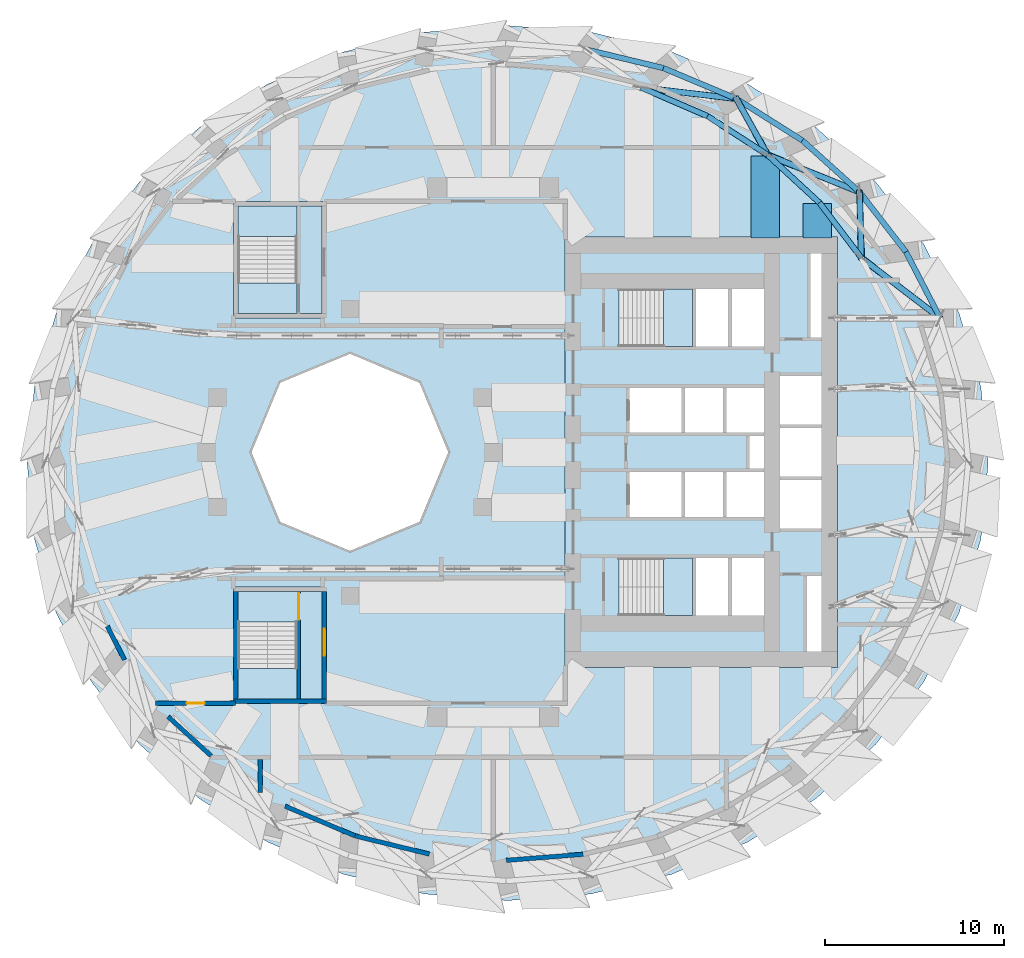
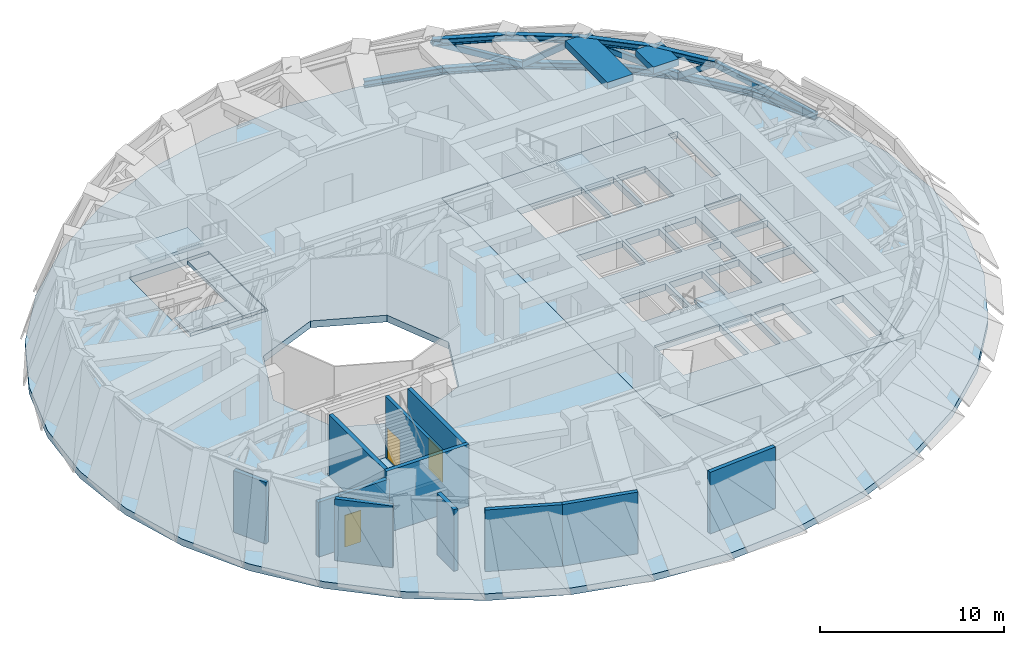
# One storey, part 6 of 14: 15 members, 11 walls, 10 slabs, 3 doors, 2 beams, 3 openings, 4 elements without a shape of their own.
"""IFC4 building model written with IfcOpenShell, lengths in metres."""

import ifcopenshell
import ifcopenshell.guid

model = None  # the IFC model being written
_history = None  # IfcOwnerHistory: only IFC2X3 demands one
_inside = {}  # id of a spatial element -> (the spatial element, [elements in it])
_under = {}  # id of a project, library or spatial element -> (it, [spatial elements below it])
_declared = {}  # id of a project -> (the project, [libraries it declares])
_typed = {}  # id of a type object -> (the type object, [elements of that type])
_made_of = {}  # id of a material, layer set ... -> (it, [elements and type objects made of it])


def new_model(schema):
    """Start an empty IFC model of exactly this schema.

    Asked for "IFC4X3", IfcOpenShell would pick the latest addendum, in which some entities
    have other attributes; the version numbers below select the first issue.
    IFC2X3 requires an IfcOwnerHistory on every rooted entity: one is made here for all.
    """
    global model, _history
    if schema == "IFC4X3":
        model = ifcopenshell.file(schema_version=(4, 3, 0, 0))
    else:
        model = ifcopenshell.file(schema=schema)
    _inside.clear()
    _under.clear()
    _declared.clear()
    _typed.clear()
    _made_of.clear()
    _history = None
    if model.schema == "IFC2X3":
        org = make("IfcOrganization", Name="unknown")
        user = make(
            "IfcPersonAndOrganization",
            ThePerson=make("IfcPerson", FamilyName="unknown"),
            TheOrganization=org,
        )
        app = make(
            "IfcApplication",
            ApplicationDeveloper=org,
            Version="unknown",
            ApplicationFullName="unknown",
            ApplicationIdentifier="unknown",
        )
        _history = make(
            "IfcOwnerHistory",
            OwningUser=user,
            OwningApplication=app,
            ChangeAction="ADDED",
            CreationDate=0,
        )
    return model


def make(cls, **values):
    """One entity of the class cls with the attributes given. An attribute that is None is left unset."""
    return model.create_entity(
        cls, **{name: value for name, value in values.items() if value is not None}
    )


def rooted(cls, **values):
    """An entity with a GlobalId (a new one), such as an element, a storey or a relation."""
    return make(cls, GlobalId=ifcopenshell.guid.new(), OwnerHistory=_history, **values)


def si_unit(unit_type, name, prefix=None):
    """IfcSIUnit, for example si_unit("LENGTHUNIT", "METRE", prefix="MILLI")."""
    return make("IfcSIUnit", UnitType=unit_type, Prefix=prefix, Name=name)


def assignment(units):
    """IfcUnitAssignment: the units of a project."""
    return None if units is None else make("IfcUnitAssignment", Units=units)


def point(xyz):
    """IfcCartesianPoint."""
    return None if xyz is None else make("IfcCartesianPoint", Coordinates=xyz)


def direction(xyz):
    """IfcDirection."""
    return None if xyz is None else make("IfcDirection", DirectionRatios=xyz)


def frame(location, z_axis=None, x_axis=None):
    """IfcAxis2Placement3D, a coordinate frame: its origin and axes. An axis left out is left unset."""
    return make(
        "IfcAxis2Placement3D",
        Location=point(location),
        Axis=direction(z_axis),
        RefDirection=direction(x_axis),
    )


def frame_2d(location, x_axis=None):
    """IfcAxis2Placement2D, a coordinate frame in the plane: its origin and x axis."""
    return make(
        "IfcAxis2Placement2D", Location=point(location), RefDirection=direction(x_axis)
    )


def origin():
    """The frame at (0, 0, 0) with its axes left unset."""
    return frame((0.0, 0.0, 0.0))


def origin_2d():
    """The frame at (0, 0) in the plane with its x axis left unset."""
    return frame_2d((0.0, 0.0))


def place(relative_to, where):
    """IfcLocalPlacement: puts the frame where relative to a parent placement (None: the world)."""
    return make(
        "IfcLocalPlacement", PlacementRelTo=relative_to, RelativePlacement=where
    )


def context(
    kind, dimensions, precision=None, world=None, true_north=None, identifier=None
):
    """IfcGeometricRepresentationContext, for example the 3D "Model" context."""
    return make(
        "IfcGeometricRepresentationContext",
        ContextIdentifier=identifier,
        ContextType=kind,
        CoordinateSpaceDimension=dimensions,
        Precision=precision,
        WorldCoordinateSystem=world,
        TrueNorth=true_north,
    )


def subcontext(parent, identifier, kind, view, scale=None):
    """IfcGeometricRepresentationSubContext, for example "Body" below "Model"."""
    return make(
        "IfcGeometricRepresentationSubContext",
        ContextIdentifier=identifier,
        ContextType=kind,
        ParentContext=parent,
        TargetScale=scale,
        TargetView=view,
    )


def project(units=None, contexts=None):
    """IfcProject with its units and contexts."""
    return rooted(
        "IfcProject",
        Name="project",
        RepresentationContexts=contexts,
        UnitsInContext=assignment(units),
    )


def spatial(cls, under=None, at=None, **own):
    """A site, building, storey or space (cls), placed at a placement, below another one or the project."""
    s = rooted(cls, ObjectPlacement=at, **own)
    if under is not None:
        _under.setdefault(under.id(), (under, []))[1].append(s)
    return s


def polyline(points):
    """IfcPolyline through the points."""
    return make("IfcPolyline", Points=[point(p) for p in points])


def profile(cls, at=None, kind="AREA", **sizes):
    """A parametric profile (cls). Its sizes go by their IFC names, for example OverallWidth=200.0."""
    return make(cls, ProfileType=kind, Position=at, **sizes)


def rectangle(**sizes):
    """IfcRectangleProfileDef."""
    return profile("IfcRectangleProfileDef", **sizes)


def hollow_rectangle(**sizes):
    """IfcRectangleHollowProfileDef."""
    return profile("IfcRectangleHollowProfileDef", **sizes)


def i_section(**sizes):
    """IfcIShapeProfileDef."""
    return profile("IfcIShapeProfileDef", **sizes)


def outline(outer, holes=None, kind="AREA"):
    """IfcArbitraryClosedProfileDef: a profile drawn as a closed curve; with holes, ...WithVoids."""
    if holes is None:
        return make("IfcArbitraryClosedProfileDef", ProfileType=kind, OuterCurve=outer)
    return make(
        "IfcArbitraryProfileDefWithVoids",
        ProfileType=kind,
        OuterCurve=outer,
        InnerCurves=holes,
    )


def extrude(swept, where, along, depth):
    """IfcExtrudedAreaSolid: the profile swept, set in the frame where, extruded along a direction by depth."""
    return make(
        "IfcExtrudedAreaSolid",
        SweptArea=swept,
        Position=where,
        ExtrudedDirection=direction(along),
        Depth=depth,
    )


def shape(context_of_items, identifier, shape_type, items):
    """IfcShapeRepresentation: the items that make up one representation, for example the "Body"."""
    return make(
        "IfcShapeRepresentation",
        ContextOfItems=context_of_items,
        RepresentationIdentifier=identifier,
        RepresentationType=shape_type,
        Items=items,
    )


def material(Name=None, Category=None):
    """IfcMaterial."""
    return make("IfcMaterial", Name=Name, Category=Category)


def layer(
    of_material, thickness, ventilated=None, Name=None, Category=None, Priority=None
):
    """IfcMaterialLayer: one layer of a wall or slab, of a material (None: an air gap)."""
    return make(
        "IfcMaterialLayer",
        Material=of_material,
        LayerThickness=thickness,
        IsVentilated=ventilated,
        Name=Name,
        Category=Category,
        Priority=Priority,
    )


def layer_set(layers, Name=None):
    """IfcMaterialLayerSet."""
    return make("IfcMaterialLayerSet", MaterialLayers=layers, LayerSetName=Name)


def material_profile(
    of_material, cross_section, Name=None, Category=None, Priority=None
):
    """IfcMaterialProfile: a cross section and its material."""
    return make(
        "IfcMaterialProfile",
        Name=Name,
        Material=of_material,
        Profile=cross_section,
        Priority=Priority,
        Category=Category,
    )


def profile_set(profiles, Name=None, composite=None):
    """IfcMaterialProfileSet."""
    return make(
        "IfcMaterialProfileSet",
        Name=Name,
        MaterialProfiles=profiles,
        CompositeProfile=composite,
    )


def made_of(thing, what):
    """Note that an element or type object is made of a material, layer set ...; save() writes the relation."""
    if what is not None:
        _made_of.setdefault(what.id(), (what, []))[1].append(thing)
    return thing


def type_object(cls, material=None, **own):
    """A type object (cls), such as IfcWallType, which elements share."""
    return made_of(rooted(cls, **own), material)


def element(
    cls,
    number,
    at=None,
    inside=None,
    cuts=None,
    type_object=None,
    material=None,
    context=None,
    identifier="Body",
    shape_type=None,
    held_by="IfcProductDefinitionShape",
    body=None,
    shapes=None,
    **own,
):
    """One element of the class cls, such as IfcWall. Its Tag is "e" and its number.

    at: its placement. inside: the storey or other place that contains it. cuts: it is an
    opening in that element (IfcRelVoidsElement). A single representation is given by context,
    identifier, shape_type and body (its items); several are given by shapes. held_by: the class
    of the entity that holds the representations. save() writes the other relations.
    """
    e = rooted(cls, Tag="e%d" % number, ObjectPlacement=at, **own)
    if body is not None:
        shapes = [shape(context, identifier, shape_type, body)]
    if shapes is not None:
        e.Representation = make(held_by, Representations=shapes)
    if inside is not None:
        _inside.setdefault(inside.id(), (inside, []))[1].append(e)
    if cuts is not None:
        rooted(
            "IfcRelVoidsElement", RelatingBuildingElement=cuts, RelatedOpeningElement=e
        )
    if type_object is not None:
        _typed.setdefault(type_object.id(), (type_object, []))[1].append(e)
    return made_of(e, material)


def fill(opening, filler):
    """IfcRelFillsElement: the door or window that sits in an opening."""
    return rooted(
        "IfcRelFillsElement",
        RelatingOpeningElement=opening,
        RelatedBuildingElement=filler,
    )


def aggregate(whole, parts):
    """IfcRelAggregates: a whole, such as a stair, and the parts it consists of."""
    return rooted("IfcRelAggregates", RelatingObject=whole, RelatedObjects=parts)


def save(model, path):
    """Write the relations noted so far, then the file.

    IfcRelAggregates (storeys below a building ...), IfcRelContainedInSpatialStructure (elements
    in a storey), IfcRelDefinesByType, IfcRelAssociatesMaterial and IfcRelDeclares: one each for
    every whole, place, type object, material and project.
    """
    for whole, parts in _under.values():
        aggregate(whole, parts)
    for where, things in _inside.values():
        rooted(
            "IfcRelContainedInSpatialStructure",
            RelatedElements=things,
            RelatingStructure=where,
        )
    for kind, things in _typed.values():
        rooted("IfcRelDefinesByType", RelatedObjects=things, RelatingType=kind)
    for what, things in _made_of.values():
        rooted("IfcRelAssociatesMaterial", RelatedObjects=things, RelatingMaterial=what)
    for by, libraries in _declared.values():
        rooted("IfcRelDeclares", RelatingContext=by, RelatedDefinitions=libraries)
    model.write(path)


model = new_model("IFC4")

# Units and contexts
model_context = context("Model", 3, precision=1e-05, world=origin(), true_north=direction((0.0, 1.0)))
body_context = subcontext(model_context, "Body", "Model", "MODEL_VIEW")
ifc_project = project(units=[si_unit("LENGTHUNIT", "METRE"), si_unit("AREAUNIT", "SQUARE_METRE"), si_unit("VOLUMEUNIT", "CUBIC_METRE"), si_unit("PLANEANGLEUNIT", "RADIAN"), si_unit("MASSUNIT", "GRAM", prefix="KILO")], contexts=[model_context])

# Site, building, storey
site_placement = place(None, origin())
site = spatial("IfcSite", under=ifc_project, at=site_placement, CompositionType="ELEMENT")
building_placement = place(site_placement, origin())
building = spatial("IfcBuilding", under=site, at=building_placement, Name="Taillehof Tower", CompositionType="ELEMENT")
storey_placement = place(building_placement, frame((0.0, 0.0, 135.10009765625)))
storey = spatial("IfcBuildingStorey", under=building, at=storey_placement, Name="L38", CompositionType="ELEMENT", Elevation=135.10009765625)

# Members
ifc_material_1 = material(Name="Steel S460M", Category="steel")
ifc_material_profile_1 = material_profile(ifc_material_1, i_section(OverallWidth=0.306884765625, OverallDepth=0.431884765625, WebThickness=0.02099609375, FlangeThickness=0.0400390625, FilletRadius=0.027099609375, at=origin_2d()), Name="HEM 400")
ifc_profile_set_1 = profile_set([ifc_material_profile_1], Name="Steel S460M")
member_type_1 = type_object("IfcMemberType", Name="Belt truss chord HEM 400", PredefinedType="CHORD", material=ifc_profile_set_1)
member_1_placement = place(storey_placement, frame((24.920654296875, 7.48291015625, 0.89990234375), z_axis=(-0.458962902429, 0.888455431743, 0.0), x_axis=(-0.888455431743, -0.458962902429, 0.0)))
element("IfcMember", 1, at=member_1_placement, inside=storey, type_object=member_type_1, Name="Belt truss bottom chord BB03", PredefinedType="CHORD", context=body_context, shape_type="SweptSolid", body=[
    extrude(i_section(OverallWidth=0.306884765625, OverallDepth=0.431884765625, WebThickness=0.02099609375, FlangeThickness=0.0400390625, FilletRadius=0.027099609375, at=origin_2d()), origin(), (0.0, 0.0, 1.0), 4.15869140625),
])
member_2_placement = place(storey_placement, frame((23.011962890625, 11.177734375, 0.89990234375), z_axis=(-0.612746873458, 0.79027923487, 0.0), x_axis=(-0.79027923487, -0.612746873458, 0.0)))
element("IfcMember", 2, at=member_2_placement, inside=storey, type_object=member_type_1, Name="Belt truss bottom chord BB04", PredefinedType="CHORD", context=body_context, shape_type="SweptSolid", body=[
    extrude(i_section(OverallWidth=0.306884765625, OverallDepth=0.431884765625, WebThickness=0.02099609375, FlangeThickness=0.0400390625, FilletRadius=0.027099609375, at=origin_2d()), origin(), (0.0, 0.0, 1.0), 4.221923828125),
])
member_3_placement = place(storey_placement, frame((20.52734375, 10.841064453125, 3.8740234375), z_axis=(-0.604827139811, 0.796356786214, 0.0), x_axis=(-0.796356786214, -0.604827139811, 0.0)))
element("IfcMember", 3, at=member_3_placement, inside=storey, type_object=member_type_1, Name="Belt truss top chord BT04", PredefinedType="CHORD", context=body_context, shape_type="SweptSolid", body=[
    extrude(i_section(OverallWidth=0.306884765625, OverallDepth=0.431884765625, WebThickness=0.02099609375, FlangeThickness=0.0400390625, FilletRadius=0.027099609375, at=origin_2d()), origin(), (0.0, 0.0, 1.0), 3.867431640625),
])
member_4_placement = place(storey_placement, frame((20.425048828125, 14.51416015625, 0.89990234375), z_axis=(-0.742198478363, 0.670180139004, 0.0), x_axis=(-0.670180139004, -0.742198478363, 0.0)))
element("IfcMember", 4, at=member_4_placement, inside=storey, type_object=member_type_1, Name="Belt truss bottom chord BB05", PredefinedType="CHORD", context=body_context, shape_type="SweptSolid", body=[
    extrude(i_section(OverallWidth=0.306884765625, OverallDepth=0.431884765625, WebThickness=0.02099609375, FlangeThickness=0.0400390625, FilletRadius=0.027099609375, at=origin_2d()), origin(), (0.0, 0.0, 1.0), 4.291748046875),
])
member_5_placement = place(storey_placement, frame((18.188232421875, 13.9208984375, 3.8740234375), z_axis=(-0.73523211846, 0.67781541144, 0.0), x_axis=(-0.67781541144, -0.73523211846, 0.0)))
element("IfcMember", 5, at=member_5_placement, inside=storey, type_object=member_type_1, Name="Belt truss top chord BT05", PredefinedType="CHORD", context=body_context, shape_type="SweptSolid", body=[
    extrude(i_section(OverallWidth=0.306884765625, OverallDepth=0.431884765625, WebThickness=0.02099609375, FlangeThickness=0.0400390625, FilletRadius=0.027099609375, at=origin_2d()), origin(), (0.0, 0.0, 1.0), 3.928955078125),
])
member_6_placement = place(storey_placement, frame((17.23974609375, 17.390380859375, 0.89990234375), z_axis=(-0.845373090243, 0.534176317607, 0.0), x_axis=(-0.534176317607, -0.845373090243, 0.0)))
element("IfcMember", 6, at=member_6_placement, inside=storey, type_object=member_type_1, Name="Belt truss bottom chord BB06", PredefinedType="CHORD", context=body_context, shape_type="SweptSolid", body=[
    extrude(i_section(OverallWidth=0.306884765625, OverallDepth=0.431884765625, WebThickness=0.02099609375, FlangeThickness=0.0400390625, FilletRadius=0.027099609375, at=origin_2d()), origin(), (0.0, 0.0, 1.0), 4.35888671875),
])
member_7_placement = place(storey_placement, frame((15.299560546875, 16.583984375, 3.8740234375), z_axis=(-0.839972001142, 0.542629742363, 0.0), x_axis=(-0.542629742363, -0.839972001142, 0.0)))
element("IfcMember", 7, at=member_7_placement, inside=storey, type_object=member_type_1, Name="Belt truss top chord BT06", PredefinedType="CHORD", context=body_context, shape_type="SweptSolid", body=[
    extrude(i_section(OverallWidth=0.306884765625, OverallDepth=0.431884765625, WebThickness=0.02099609375, FlangeThickness=0.0400390625, FilletRadius=0.027099609375, at=origin_2d()), origin(), (0.0, 0.0, 1.0), 3.9912109375),
])
member_8_placement = place(storey_placement, frame((13.554931640625, 19.71875, 0.89990234375), z_axis=(-0.921913005512, 0.387396967294, 0.0), x_axis=(-0.387396967294, -0.921913005512, 0.0)))
element("IfcMember", 8, at=member_8_placement, inside=storey, type_object=member_type_1, Name="Belt truss bottom chord BB07", PredefinedType="CHORD", context=body_context, shape_type="SweptSolid", body=[
    extrude(i_section(OverallWidth=0.306884765625, OverallDepth=0.431884765625, WebThickness=0.02099609375, FlangeThickness=0.0400390625, FilletRadius=0.027099609375, at=origin_2d()), origin(), (0.0, 0.0, 1.0), 4.415771484375),
])
member_9_placement = place(storey_placement, frame((11.947021484375, 18.749755859375, 3.8740234375), z_axis=(-0.918350551683, 0.395767942389, 0.0), x_axis=(-0.395767942389, -0.918350551683, 0.0)))
element("IfcMember", 9, at=member_9_placement, inside=storey, type_object=member_type_1, Name="Belt truss top chord BT07", PredefinedType="CHORD", context=body_context, shape_type="SweptSolid", body=[
    extrude(i_section(OverallWidth=0.306884765625, OverallDepth=0.431884765625, WebThickness=0.02099609375, FlangeThickness=0.0400390625, FilletRadius=0.027099609375, at=origin_2d()), origin(), (0.0, 0.0, 1.0), 4.046630859375),
])
member_10_placement = place(storey_placement, frame((9.48388671875, 21.429443359375, 0.89990234375), z_axis=(-0.972229409441, 0.234029860098, 0.0), x_axis=(-0.234029860098, -0.972229409441, 0.0)))
element("IfcMember", 10, at=member_10_placement, inside=storey, type_object=member_type_1, Name="Belt truss bottom chord BB08", PredefinedType="CHORD", context=body_context, shape_type="SweptSolid", body=[
    extrude(i_section(OverallWidth=0.306884765625, OverallDepth=0.431884765625, WebThickness=0.02099609375, FlangeThickness=0.0400390625, FilletRadius=0.027099609375, at=origin_2d()), origin(), (0.0, 0.0, 1.0), 4.45556640625),
])
ifc_material_2 = material(Name="Steel S460M", Category="steel")
ifc_material_profile_2 = material_profile(ifc_material_2, hollow_rectangle(XDim=0.35009765625, YDim=0.35009765625, WallThickness=0.01611328125, InnerFilletRadius=0.01611328125, OuterFilletRadius=0.02392578125, at=origin_2d()), Name="RHS 350x350x16")
ifc_profile_set_2 = profile_set([ifc_material_profile_2], Name="Steel S460M")
member_type_2 = type_object("IfcMemberType", Name="Belt truss diagonal RHS 350x350x16", PredefinedType="BRACE", material=ifc_profile_set_2)
member_11_placement = place(storey_placement, frame((24.920654296875, 7.48291015625, 0.89990234375), z_axis=(-0.699701498611, 0.534837127724, 0.473674001449), x_axis=(-0.607286218297, -0.79448313328, 0.0)))
element("IfcMember", 11, at=member_11_placement, inside=storey, type_object=member_type_2, Name="Belt truss diagonal BX03", PredefinedType="BRACE", context=body_context, shape_type="SweptSolid", body=[
    extrude(hollow_rectangle(XDim=0.35009765625, YDim=0.35009765625, WallThickness=0.01611328125, InnerFilletRadius=0.01611328125, OuterFilletRadius=0.02392578125, at=origin_2d()), origin(), (0.0, 0.0, 1.0), 6.27880859375),
])
member_12_placement = place(storey_placement, frame((20.52734375, 10.841064453125, 3.8740234375), z_axis=(-0.021639123929, 0.77699431866, -0.629135579256), x_axis=(-0.99961242021, -0.027838989968, 0.0)))
element("IfcMember", 12, at=member_12_placement, inside=storey, type_object=member_type_2, Name="Belt truss diagonal BX04", PredefinedType="BRACE", context=body_context, shape_type="SweptSolid", body=[
    extrude(hollow_rectangle(XDim=0.35009765625, YDim=0.35009765625, WallThickness=0.01611328125, InnerFilletRadius=0.01611328125, OuterFilletRadius=0.02392578125, at=origin_2d()), origin(), (0.0, 0.0, 1.0), 4.727294921875),
])
member_13_placement = place(storey_placement, frame((20.425048828125, 14.51416015625, 0.89990234375), z_axis=(-0.816556121405, 0.329749585466, 0.473815693577), x_axis=(-0.374449904717, -0.92724714551, 0.0)))
element("IfcMember", 13, at=member_13_placement, inside=storey, type_object=member_type_2, Name="Belt truss diagonal BX05", PredefinedType="BRACE", context=body_context, shape_type="SweptSolid", body=[
    extrude(hollow_rectangle(XDim=0.35009765625, YDim=0.35009765625, WallThickness=0.01611328125, InnerFilletRadius=0.01611328125, OuterFilletRadius=0.02392578125, at=origin_2d()), origin(), (0.0, 0.0, 1.0), 6.27685546875),
])
member_14_placement = place(storey_placement, frame((15.299560546875, 16.583984375, 3.8740234375), z_axis=(-0.374381456113, 0.672692120975, -0.638219269293), x_axis=(-0.873791086525, -0.486301487875, 0.0)))
element("IfcMember", 14, at=member_14_placement, inside=storey, type_object=member_type_2, Name="Belt truss diagonal BX06", PredefinedType="BRACE", context=body_context, shape_type="SweptSolid", body=[
    extrude(hollow_rectangle(XDim=0.35009765625, YDim=0.35009765625, WallThickness=0.01611328125, InnerFilletRadius=0.01611328125, OuterFilletRadius=0.02392578125, at=origin_2d()), origin(), (0.0, 0.0, 1.0), 4.659912109375),
])
member_15_placement = place(storey_placement, frame((13.554931640625, 19.71875, 0.89990234375), z_axis=(-0.868366973239, 0.103170342428, 0.485071829971), x_axis=(-0.117979843645, -0.993015990049, 0.0)))
element("IfcMember", 15, at=member_15_placement, inside=storey, type_object=member_type_2, Name="Belt truss diagonal BX07", PredefinedType="BRACE", context=body_context, shape_type="SweptSolid", body=[
    extrude(hollow_rectangle(XDim=0.35009765625, YDim=0.35009765625, WallThickness=0.01611328125, InnerFilletRadius=0.01611328125, OuterFilletRadius=0.02392578125, at=origin_2d()), origin(), (0.0, 0.0, 1.0), 6.13134765625),
])

# Beams
ifc_material_3 = material(Name="Concrete C50/60", Category="concrete")
ifc_material_profile_3 = material_profile(ifc_material_3, rectangle(XDim=1.60009765625, YDim=0.449951171875, at=origin_2d()), Name="RC 1600x450")
ifc_profile_set_3 = profile_set([ifc_material_profile_3], Name="Concrete C50/60")
beam_type = type_object("IfcBeamType", Name="Radial band beam C50/60 1600x450", PredefinedType="BEAM", material=ifc_profile_set_3)
beam_1_placement = place(storey_placement, frame((18.063720703125, 13.8876953125, 3.864990234375), z_axis=(0.0, -1.0, 0.0), x_axis=(1.0, 0.0, 0.0)))
element("IfcBeam", 16, at=beam_1_placement, inside=storey, type_object=beam_type, Name="Radial band beam RB05", PredefinedType="BEAM", context=body_context, shape_type="SweptSolid", body=[
    extrude(rectangle(XDim=1.60009765625, YDim=0.449951171875, at=origin_2d()), origin(), (0.0, 0.0, 1.0), 1.937744140625),
])
beam_2_placement = place(storey_placement, frame((15.17333984375, 16.53173828125, 3.864990234375), z_axis=(0.0, -1.0, 0.0), x_axis=(1.0, 0.0, 0.0)))
element("IfcBeam", 17, at=beam_2_placement, inside=storey, type_object=beam_type, Name="Radial band beam RB06", PredefinedType="BEAM", context=body_context, shape_type="SweptSolid", body=[
    extrude(rectangle(XDim=1.60009765625, YDim=0.449951171875, at=origin_2d()), origin(), (0.0, 0.0, 1.0), 4.581787109375),
])

# Slabs
ifc_material_4 = material(Name="Concrete C40/50", Category="concrete")
ifc_layer_1 = layer(ifc_material_4, 0.449951171875)
ifc_layer_set_1 = layer_set([ifc_layer_1], Name="Core floor slab C40/50 450")
slab_type_1 = type_object("IfcSlabType", Name="Core floor slab C40/50 450", PredefinedType="FLOOR", material=ifc_layer_set_1)
slab_1_placement = place(storey_placement, frame((0.0, 0.0, -0.4501953125)))
element("IfcSlab", 18, at=slab_1_placement, inside=storey, type_object=slab_type_1, Name="Core floor L38", PredefinedType="FLOOR", context=body_context, shape_type="SweptSolid", body=[
    extrude(outline(polyline([(4.0, -12.0), (4.0, 12.0), (19.199951171875, 12.0), (19.199951171875, -12.0), (4.0, -12.0)]), holes=[polyline([(7.00048828125, -9.10009765625), (11.10009765625, -9.10009765625), (11.10009765625, -5.89990234375), (7.00048828125, -5.89990234375), (7.00048828125, -9.10009765625)]), polyline([(13.10009765625, -9.10009765625), (13.10009765625, -5.89990234375), (11.300048828125, -5.89990234375), (11.300048828125, -9.10009765625), (13.10009765625, -9.10009765625)]), polyline([(10.5, -3.60009765625), (10.5, -1.10009765625), (7.60009765625, -1.10009765625), (7.60009765625, -3.60009765625), (10.5, -3.60009765625)]), polyline([(12.800048828125, -3.60009765625), (12.800048828125, -1.10009765625), (10.699951171875, -1.10009765625), (10.699951171875, -3.60009765625), (12.800048828125, -3.60009765625)]), polyline([(10.5, 1.10009765625), (10.5, 3.60009765625), (7.60009765625, 3.60009765625), (7.60009765625, 1.10009765625), (10.5, 1.10009765625)]), polyline([(12.800048828125, 1.10009765625), (12.800048828125, 3.60009765625), (10.699951171875, 3.60009765625), (10.699951171875, 1.10009765625), (12.800048828125, 1.10009765625)]), polyline([(15.10009765625, 1.10009765625), (15.10009765625, 3.60009765625), (13.0, 3.60009765625), (13.0, 1.10009765625), (15.10009765625, 1.10009765625)]), polyline([(11.300048828125, 5.89990234375), (13.10009765625, 5.89990234375), (13.10009765625, 9.10009765625), (11.300048828125, 9.10009765625), (11.300048828125, 5.89990234375)]), polyline([(7.00048828125, 5.89990234375), (11.10009765625, 5.89990234375), (11.10009765625, 9.10009765625), (7.00048828125, 9.10009765625), (7.00048828125, 5.89990234375)]), polyline([(18.300048828125, -11.10009765625), (18.300048828125, -6.89990234375), (17.5, -6.89990234375), (17.5, -11.10009765625), (18.300048828125, -11.10009765625)]), polyline([(15.10009765625, -9.10009765625), (15.10009765625, -5.89990234375), (13.300048828125, -5.89990234375), (13.300048828125, -9.10009765625), (15.10009765625, -9.10009765625)]), polyline([(18.300048828125, -4.25), (18.300048828125, -1.550048828125), (16.0, -1.550048828125), (16.0, -4.25), (18.300048828125, -4.25)]), polyline([(15.10009765625, -3.60009765625), (15.10009765625, -1.10009765625), (13.0, -1.10009765625), (13.0, -3.60009765625), (15.10009765625, -3.60009765625)]), polyline([(15.10009765625, -0.89990234375), (15.10009765625, 0.89990234375), (14.300048828125, 0.89990234375), (14.300048828125, -0.89990234375), (15.10009765625, -0.89990234375)]), polyline([(18.300048828125, -1.35009765625), (18.300048828125, 1.35009765625), (16.0, 1.35009765625), (16.0, -1.35009765625), (18.300048828125, -1.35009765625)]), polyline([(18.300048828125, 1.550048828125), (18.300048828125, 4.25), (16.0, 4.25), (16.0, 1.550048828125), (18.300048828125, 1.550048828125)]), polyline([(13.300048828125, 5.89990234375), (15.10009765625, 5.89990234375), (15.10009765625, 9.10009765625), (13.300048828125, 9.10009765625), (13.300048828125, 5.89990234375)]), polyline([(17.699951171875, 6.39990234375), (18.300048828125, 6.39990234375), (18.300048828125, 11.10009765625), (17.699951171875, 11.10009765625), (17.699951171875, 6.39990234375)])]), origin(), (0.0, 0.0, 1.0), 0.4501953125),
])
ifc_material_5 = material(Name="Concrete C40/50", Category="concrete")
ifc_layer_2 = layer(ifc_material_5, 0.449951171875)
ifc_layer_set_2 = layer_set([ifc_layer_2], Name="Floor slab 450")
slab_type_2 = type_object("IfcSlabType", Name="Floor slab 450", PredefinedType="FLOOR", material=ifc_layer_set_2)
slab_2_placement = place(storey_placement, frame((0.0, 0.0, -0.4501953125)))
element("IfcSlab", 19, at=slab_2_placement, inside=storey, type_object=slab_type_2, Name="Floor slab L38", PredefinedType="FLOOR", context=body_context, shape_type="SweptSolid", body=[
    extrude(outline(polyline([(27.60009765625, -0.60009765625), (27.19287109375, 3.636962890625), (25.98388671875, 7.745361328125), (24.009521484375, 11.60009765625), (21.330078125, 15.083984375), (18.026611328125, 18.091552734375), (14.199951171875, 20.531005859375), (9.966064453125, 22.32861328125), (5.453857421875, 23.42919921875), (0.800048828125, 23.800048828125), (-3.853759765625, 23.42919921875), (-8.3662109375, 22.32861328125), (-12.60009765625, 20.531005859375), (-16.4267578125, 18.091552734375), (-19.72998046875, 15.083984375), (-22.409423828125, 11.60009765625), (-24.3837890625, 7.745361328125), (-25.5927734375, 3.636962890625), (-26.0, -0.60009765625), (-25.5927734375, -4.8369140625), (-24.3837890625, -8.9453125), (-22.409423828125, -12.800048828125), (-19.72998046875, -16.283935546875), (-16.4267578125, -19.29150390625), (-12.60009765625, -21.73095703125), (-8.3662109375, -23.528564453125), (-3.853759765625, -24.62939453125), (0.800048828125, -25.0), (5.453857421875, -24.62939453125), (9.966064453125, -23.528564453125), (14.199951171875, -21.73095703125), (18.026611328125, -19.29150390625), (21.330078125, -16.283935546875), (24.009521484375, -12.800048828125), (25.98388671875, -8.9453125), (27.19287109375, -4.8369140625), (27.60009765625, -0.60009765625)]), holes=[polyline([(-14.5, -7.5), (-9.5, -7.5), (-9.5, -14.0), (-14.5, -14.0), (-14.5, -7.5)]), polyline([(-8.0, -5.5), (-11.88916015625, -3.88916015625), (-13.5, 0.0), (-11.88916015625, 3.88916015625), (-8.0, 5.5), (-4.11083984375, 3.88916015625), (-2.5, 0.0), (-4.11083984375, -3.88916015625), (-8.0, -5.5)]), polyline([(19.199951171875, 12.0), (19.199951171875, -12.0), (4.0, -12.0), (4.0, 12.0), (19.199951171875, 12.0)]), polyline([(-14.5, 14.0), (-9.5, 14.0), (-9.5, 7.5), (-14.5, 7.5), (-14.5, 14.0)])]), origin(), (0.0, 0.0, 1.0), 0.4501953125),
])

# Stair, slab
ifc_material_6 = material(Name="Concrete C40/50", Category="concrete")
stair_type = type_object("IfcStairType", Name="Exit stair half-turn", PredefinedType="HALF_TURN_STAIR", material=ifc_material_6)
stair_1_placement = place(storey_placement, origin())
stair_1 = element("IfcStair", 20, at=stair_1_placement, inside=storey, type_object=stair_type, Name="Exit stair S1", PredefinedType="HALF_TURN_STAIR")
ifc_material_7 = material(Name="Concrete C40/50", Category="concrete")
ifc_layer_3 = layer(ifc_material_7, 0.2099609375)
ifc_layer_set_3 = layer_set([ifc_layer_3], Name="Stair landing C40/50 210")
slab_type_3 = type_object("IfcSlabType", Name="Stair landing C40/50 210", PredefinedType="LANDING", material=ifc_layer_set_3)
slab_3_placement = place(storey_placement, frame((0.0, 0.0, 2.039794921875)))
slab_3 = element("IfcSlab", 21, at=slab_3_placement, type_object=slab_type_3, Name="S1 landing 1", PredefinedType="LANDING", context=body_context, shape_type="SweptSolid", body=[
    extrude(outline(polyline([(9.5, 5.89990234375), (11.10009765625, 5.89990234375), (11.10009765625, 9.10009765625), (9.5, 9.10009765625), (9.5, 5.89990234375)])), origin(), (0.0, 0.0, 1.0), 0.210205078125),
])
aggregate(stair_1, [slab_3])

stair_2_placement = place(storey_placement, origin())
stair_2 = element("IfcStair", 22, at=stair_2_placement, inside=storey, type_object=stair_type, Name="Exit stair S2", PredefinedType="HALF_TURN_STAIR")
slab_4_placement = place(storey_placement, frame((0.0, 0.0, 2.039794921875)))
slab_4 = element("IfcSlab", 23, at=slab_4_placement, type_object=slab_type_3, Name="S2 landing 1", PredefinedType="LANDING", context=body_context, shape_type="SweptSolid", body=[
    extrude(outline(polyline([(9.5, -5.89990234375), (11.10009765625, -5.89990234375), (11.10009765625, -9.10009765625), (9.5, -9.10009765625), (9.5, -5.89990234375)])), origin(), (0.0, 0.0, 1.0), 0.210205078125),
])
aggregate(stair_2, [slab_4])

stair_3_placement = place(storey_placement, origin())
stair_3 = element("IfcStair", 24, at=stair_3_placement, inside=storey, type_object=stair_type, Name="Exit stair S3", PredefinedType="HALF_TURN_STAIR")
slab_5_placement = place(storey_placement, frame((0.0, 0.0, 2.039794921875)))
slab_5 = element("IfcSlab", 25, at=slab_5_placement, type_object=slab_type_3, Name="S3 landing 1", PredefinedType="LANDING", context=body_context, shape_type="SweptSolid", body=[
    extrude(outline(polyline([(-14.25, 12.050048828125), (-14.25, 13.75), (-10.949951171875, 13.75), (-10.949951171875, 12.050048828125), (-14.25, 12.050048828125)])), origin(), (0.0, 0.0, 1.0), 0.210205078125),
])
aggregate(stair_3, [slab_5])

stair_4_placement = place(storey_placement, origin())
stair_4 = element("IfcStair", 26, at=stair_4_placement, inside=storey, type_object=stair_type, Name="Exit stair S4", PredefinedType="HALF_TURN_STAIR")
slab_6_placement = place(storey_placement, frame((0.0, 0.0, 2.039794921875)))
slab_6 = element("IfcSlab", 27, at=slab_6_placement, type_object=slab_type_3, Name="S4 landing 1", PredefinedType="LANDING", context=body_context, shape_type="SweptSolid", body=[
    extrude(outline(polyline([(-14.25, -12.050048828125), (-14.25, -13.75), (-10.949951171875, -13.75), (-10.949951171875, -12.050048828125), (-14.25, -12.050048828125)])), origin(), (0.0, 0.0, 1.0), 0.210205078125),
])
aggregate(stair_4, [slab_6])

# Slabs
slab_7_placement = place(storey_placement, frame((0.0, 0.0, -0.210205078125)))
element("IfcSlab", 28, at=slab_7_placement, inside=storey, type_object=slab_type_3, Name="Stair S3 floor landing", PredefinedType="LANDING", context=body_context, shape_type="SweptSolid", body=[
    extrude(outline(polyline([(-14.25, 7.75), (-14.25, 9.449951171875), (-10.949951171875, 9.449951171875), (-10.949951171875, 7.75), (-14.25, 7.75)])), origin(), (0.0, 0.0, 1.0), 0.210205078125),
])
slab_8_placement = place(storey_placement, frame((0.0, 0.0, -0.210205078125)))
element("IfcSlab", 29, at=slab_8_placement, inside=storey, type_object=slab_type_3, Name="Stair lobby S3 floor", PredefinedType="LANDING", context=body_context, shape_type="SweptSolid", body=[
    extrude(outline(polyline([(-10.949951171875, 7.75), (-9.550048828125, 7.75), (-9.550048828125, 13.75), (-10.949951171875, 13.75), (-10.949951171875, 7.75)])), origin(), (0.0, 0.0, 1.0), 0.210205078125),
])
slab_9_placement = place(storey_placement, frame((0.0, 0.0, -0.210205078125)))
element("IfcSlab", 30, at=slab_9_placement, inside=storey, type_object=slab_type_3, Name="Stair S4 floor landing", PredefinedType="LANDING", context=body_context, shape_type="SweptSolid", body=[
    extrude(outline(polyline([(-14.25, -7.75), (-14.25, -9.449951171875), (-10.949951171875, -9.449951171875), (-10.949951171875, -7.75), (-14.25, -7.75)])), origin(), (0.0, 0.0, 1.0), 0.210205078125),
])
slab_10_placement = place(storey_placement, frame((0.0, 0.0, -0.210205078125)))
element("IfcSlab", 31, at=slab_10_placement, inside=storey, type_object=slab_type_3, Name="Stair lobby S4 floor", PredefinedType="LANDING", context=body_context, shape_type="SweptSolid", body=[
    extrude(outline(polyline([(-10.949951171875, -13.75), (-9.550048828125, -13.75), (-9.550048828125, -7.75), (-10.949951171875, -7.75), (-10.949951171875, -13.75)])), origin(), (0.0, 0.0, 1.0), 0.210205078125),
])

# Walls
ifc_material_8 = material(Name="Calcium silicate blockwork", Category="masonry")
ifc_layer_4 = layer(ifc_material_8, 0.25)
ifc_layer_set_4 = layer_set([ifc_layer_4], Name="Fire-resisting wall EI 120 250 mm")
wall_type_1 = type_object("IfcWallType", Name="Fire-resisting wall EI 120 250 mm", PredefinedType="PARTITIONING", material=ifc_layer_set_4)
wall_1_placement = place(storey_placement, frame((-18.135986328125, -14.74365234375, 0.0), z_axis=(0.0, 0.0, 1.0), x_axis=(0.739013344321, -0.673690787317, 0.0)))
element("IfcWall", 32, at=wall_1_placement, inside=storey, type_object=wall_type_1, Name="Wall TRB / L38-05", PredefinedType="PARTITIONING", context=body_context, shape_type="SweptSolid", body=[
    extrude(rectangle(XDim=3.23291015625, YDim=0.25, at=frame_2d((1.616455078125, 0.0))), origin(), (0.0, 0.0, 1.0), 4.08984375),
])
wall_2_placement = place(storey_placement, frame((-11.61181640625, -19.733154296875, 0.0), z_axis=(0.0, 0.0, 1.0), x_axis=(0.920193143712, -0.391464657748, 0.0)))
element("IfcWall", 33, at=wall_2_placement, inside=storey, type_object=wall_type_1, Name="Wall TRB / L38-10", PredefinedType="PARTITIONING", context=body_context, shape_type="SweptSolid", body=[
    extrude(rectangle(XDim=4.227783203125, YDim=0.25, at=frame_2d((2.11376953125, 0.0))), origin(), (0.0, 0.0, 1.0), 4.08984375),
])
wall_3_placement = place(storey_placement, frame((-7.721435546875, -21.38818359375, 0.0), z_axis=(0.0, 0.0, 1.0), x_axis=(0.971191151919, -0.238301796961, 0.0)))
element("IfcWall", 34, at=wall_3_placement, inside=storey, type_object=wall_type_1, Name="Wall TRB / L38-10", PredefinedType="PARTITIONING", context=body_context, shape_type="SweptSolid", body=[
    extrude(rectangle(XDim=4.2763671875, YDim=0.25, at=frame_2d((2.13818359375, 0.0))), origin(), (0.0, 0.0, 1.0), 4.08984375),
])
wall_4_placement = place(storey_placement, frame((0.7197265625, -22.75439453125, 0.0), z_axis=(0.0, 0.0, 1.0), x_axis=(0.996988036933, 0.077555491179, 0.0)))
element("IfcWall", 35, at=wall_4_placement, inside=storey, type_object=wall_type_1, Name="Wall TRB / L38-11", PredefinedType="PARTITIONING", context=body_context, shape_type="SweptSolid", body=[
    extrude(rectangle(XDim=4.30322265625, YDim=0.25, at=frame_2d((2.151611328125, 0.0))), origin(), (0.0, 0.0, 1.0), 4.08984375),
])
wall_5_placement = place(storey_placement, frame((-21.530029296875, -9.699951171875, 0.0), z_axis=(0.0, 0.0, 1.0), x_axis=(0.455067973608, -0.890456702707, 0.0)))
element("IfcWall", 36, at=wall_5_placement, inside=storey, type_object=wall_type_1, Name="Wall TRB / L38-14", PredefinedType="PARTITIONING", context=body_context, shape_type="SweptSolid", body=[
    extrude(rectangle(XDim=2.0966796875, YDim=0.25, at=frame_2d((1.04833984375, 0.0))), origin(), (0.0, 0.0, 1.0), 4.08984375),
])

# Wall, opening, door
wall_6_placement = place(storey_placement, frame((-18.832275390625, -14.0, 0.0), z_axis=(0.0, 0.0, 1.0), x_axis=(1.0, 0.0, 0.0)))
wall_6 = element("IfcWall", 37, at=wall_6_placement, inside=storey, type_object=wall_type_1, Name="Wall L38-05 / L38-14", PredefinedType="PARTITIONING", context=body_context, shape_type="SweptSolid", body=[
    extrude(rectangle(XDim=4.457275390625, YDim=0.25, at=frame_2d((2.228515625, 0.0))), origin(), (0.0, 0.0, 1.0), 3.639892578125),
])
opening_1_placement = place(wall_6_placement, frame((1.728271484375, 0.0, 0.0)))
opening_1 = element("IfcOpeningElement", 38, at=opening_1_placement, cuts=wall_6, Name="Opening D3843", PredefinedType="OPENING", context=body_context, shape_type="SweptSolid", body=[
    extrude(rectangle(XDim=1.0, YDim=2.10009765625, at=frame_2d((0.5, 1.050048828125))), frame((0.0, 0.135009765625, 0.0), z_axis=(0.0, -1.0, 0.0), x_axis=(1.0, 0.0, 0.0)), (0.0, 0.0, 1.0), 0.27001953125),
])
ifc_material_9 = material(Name="Hollow metal door set")
door_type_1 = type_object("IfcDoorType", Name="Single door 1000 x 2100 FD120S", OperationType="SINGLE_SWING_LEFT", PredefinedType="DOOR", material=ifc_material_9)
door_1_placement = place(opening_1_placement, origin())
door_1 = element("IfcDoor", 39, at=door_1_placement, inside=storey, type_object=door_type_1, Name="Door D3843", OperationType="SINGLE_SWING_RIGHT", OverallHeight=2.10009765625, OverallWidth=1.0, PredefinedType="DOOR", context=body_context, shape_type="SweptSolid", body=[
    extrude(rectangle(XDim=1.0, YDim=2.10009765625, at=frame_2d((0.5, 1.050048828125))), frame((0.0, 0.02490234375, 0.0), z_axis=(0.0, -1.0, 0.0), x_axis=(1.0, 0.0, 0.0)), (0.0, 0.0, 1.0), 0.050048828125),
])
fill(opening_1, door_1)

# Wall
wall_7_placement = place(storey_placement, frame((-13.0, -18.971923828125, 0.0), z_axis=(0.0, 0.0, 1.0), x_axis=(0.0, 1.0, 0.0)))
element("IfcWall", 40, at=wall_7_placement, inside=storey, type_object=wall_type_1, Name="Wall L38-09 / L38-10", PredefinedType="PARTITIONING", context=body_context, shape_type="SweptSolid", body=[
    extrude(rectangle(XDim=1.846923828125, YDim=0.25, at=frame_2d((0.92333984375, 0.0))), origin(), (0.0, 0.0, 1.0), 4.08984375),
])

# Wall, opening, door
ifc_material_10 = material(Name="Concrete C50/60", Category="concrete")
ifc_layer_5 = layer(ifc_material_10, 0.199951171875)
ifc_layer_set_5 = layer_set([ifc_layer_5], Name="Shaft wall C50/60 200")
wall_type_2 = type_object("IfcWallType", Name="Shaft wall C50/60 200", PredefinedType="SHEAR", material=ifc_layer_set_5)
wall_8_placement = place(storey_placement, frame((-10.85009765625, -13.75, 0.0), z_axis=(0.0, 0.0, 1.0), x_axis=(0.0, 1.0, 0.0)))
wall_8 = element("IfcWall", 41, at=wall_8_placement, inside=storey, type_object=wall_type_2, Name="Shaft wall SW", PredefinedType="SHEAR", context=body_context, shape_type="SweptSolid", body=[
    extrude(rectangle(XDim=6.0, YDim=0.199951171875, at=frame_2d((3.0, 0.0))), origin(), (0.0, 0.0, 1.0), 4.08984375),
])
opening_2_placement = place(wall_8_placement, frame((4.39990234375, 0.0, 0.0)))
opening_2 = element("IfcOpeningElement", 42, at=opening_2_placement, cuts=wall_8, Name="Opening D3811", PredefinedType="OPENING", context=body_context, shape_type="SweptSolid", body=[
    extrude(rectangle(XDim=1.5, YDim=2.10009765625, at=frame_2d((0.75, 1.050048828125))), frame((0.0, 0.10986328125, 0.0), z_axis=(0.0, -1.0, 0.0), x_axis=(1.0, 0.0, 0.0)), (0.0, 0.0, 1.0), 0.219970703125),
])
ifc_material_11 = material(Name="Steel-faced fire door", Category="steel")
door_type_2 = type_object("IfcDoorType", Name="Stair door 1500x2100", OperationType="DOUBLE_DOOR_SINGLE_SWING", PredefinedType="DOOR", material=ifc_material_11)
door_2_placement = place(opening_2_placement, origin())
door_2 = element("IfcDoor", 43, at=door_2_placement, inside=storey, type_object=door_type_2, Name="Stair lobby door S4", OperationType="DOUBLE_DOOR_SINGLE_SWING", OverallHeight=2.10009765625, OverallWidth=1.5, PredefinedType="DOOR", context=body_context, shape_type="SweptSolid", body=[
    extrude(rectangle(XDim=1.5, YDim=2.10009765625, at=frame_2d((0.75, 1.050048828125))), frame((0.0, 0.02490234375, 0.0), z_axis=(0.0, -1.0, 0.0), x_axis=(1.0, 0.0, 0.0)), (0.0, 0.0, 1.0), 0.050048828125),
])
fill(opening_2, door_2)

# Wall
ifc_material_12 = material(Name="Concrete C50/60", Category="concrete")
ifc_layer_6 = layer(ifc_material_12, 0.25)
ifc_layer_set_6 = layer_set([ifc_layer_6], Name="Stair wall C50/60 250")
wall_type_3 = type_object("IfcWallType", Name="Stair wall C50/60 250", PredefinedType="SHEAR", material=ifc_layer_set_6)
wall_9_placement = place(storey_placement, frame((-14.375, -13.75, -0.4501953125), z_axis=(0.0, 0.0, 1.0), x_axis=(0.0, 1.0, 0.0)))
element("IfcWall", 44, at=wall_9_placement, inside=storey, type_object=wall_type_3, Name="Stair wall SC", PredefinedType="SHEAR", context=body_context, shape_type="SweptSolid", body=[
    extrude(rectangle(XDim=6.0, YDim=0.25, at=frame_2d((3.0, 0.0))), origin(), (0.0, 0.0, 1.0), 4.5400390625),
])

# Wall, opening, door
wall_10_placement = place(storey_placement, frame((-9.425048828125, -13.75, -0.4501953125), z_axis=(0.0, 0.0, 1.0), x_axis=(0.0, 1.0, 0.0)))
wall_10 = element("IfcWall", 45, at=wall_10_placement, inside=storey, type_object=wall_type_3, Name="Stair wall SC", PredefinedType="SHEAR", context=body_context, shape_type="SweptSolid", body=[
    extrude(rectangle(XDim=6.0, YDim=0.25, at=frame_2d((3.0, 0.0))), origin(), (0.0, 0.0, 1.0), 4.5400390625),
])
opening_3_placement = place(wall_10_placement, frame((2.39990234375, 0.0, 0.449951171875)))
opening_3 = element("IfcOpeningElement", 46, at=opening_3_placement, cuts=wall_10, Name="Opening D3818", PredefinedType="OPENING", context=body_context, shape_type="SweptSolid", body=[
    extrude(rectangle(XDim=1.5, YDim=2.10009765625, at=frame_2d((0.75, 1.050048828125))), frame((0.0, 0.135009765625, 0.0), z_axis=(0.0, -1.0, 0.0), x_axis=(1.0, 0.0, 0.0)), (0.0, 0.0, 1.0), 0.27001953125),
])
door_3_placement = place(opening_3_placement, origin())
door_3 = element("IfcDoor", 47, at=door_3_placement, inside=storey, type_object=door_type_2, Name="Stair door S4", OperationType="DOUBLE_DOOR_SINGLE_SWING", OverallHeight=2.10009765625, OverallWidth=1.5, PredefinedType="DOOR", context=body_context, shape_type="SweptSolid", body=[
    extrude(rectangle(XDim=1.5, YDim=2.10009765625, at=frame_2d((0.75, 1.050048828125))), frame((0.0, 0.02490234375, 0.0), z_axis=(0.0, -1.0, 0.0), x_axis=(1.0, 0.0, 0.0)), (0.0, 0.0, 1.0), 0.050048828125),
])
fill(opening_3, door_3)

# Wall
wall_11_placement = place(storey_placement, frame((-14.5, -13.875, -0.4501953125), z_axis=(0.0, 0.0, 1.0), x_axis=(1.0, 0.0, 0.0)))
element("IfcWall", 48, at=wall_11_placement, inside=storey, type_object=wall_type_3, Name="Stair wall SC", PredefinedType="SHEAR", context=body_context, shape_type="SweptSolid", body=[
    extrude(rectangle(XDim=5.199951171875, YDim=0.25, at=frame_2d((2.60009765625, 0.0))), origin(), (0.0, 0.0, 1.0), 4.5400390625),
])

save(model, "model.ifc")
